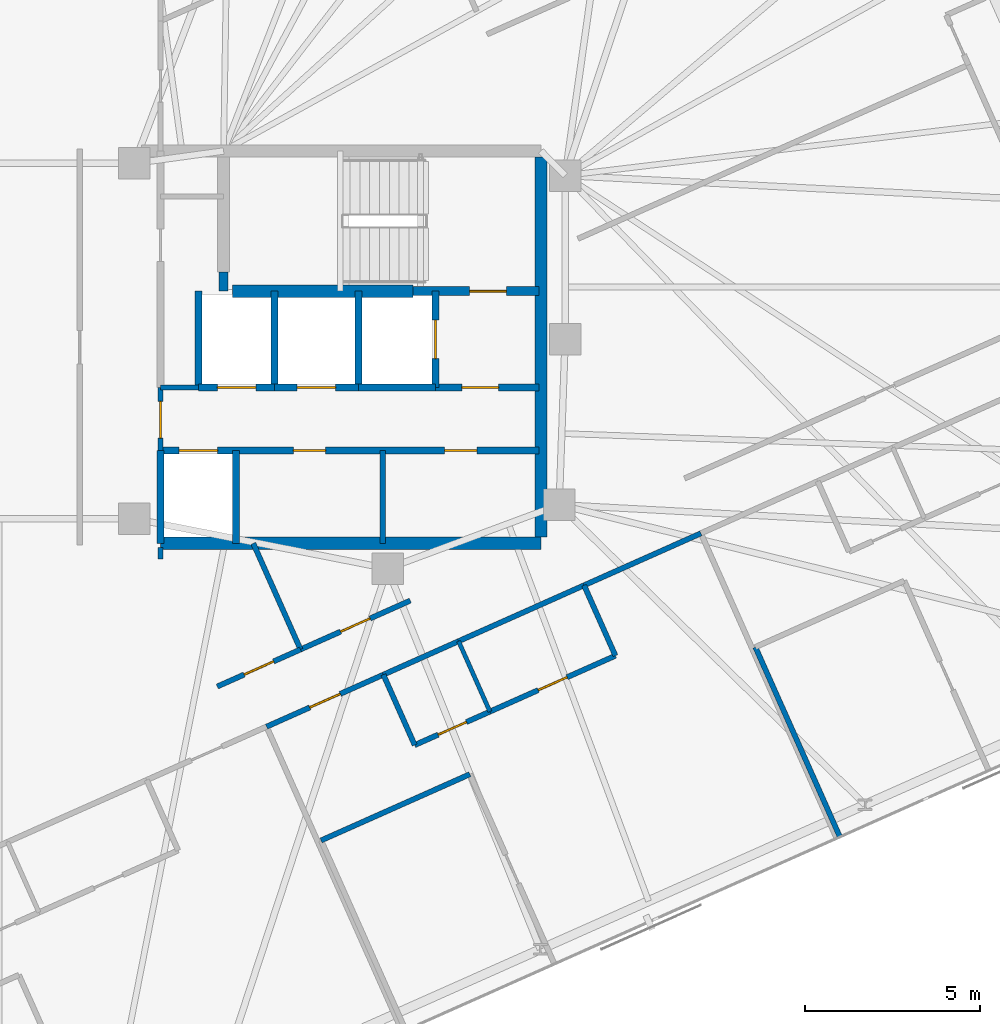
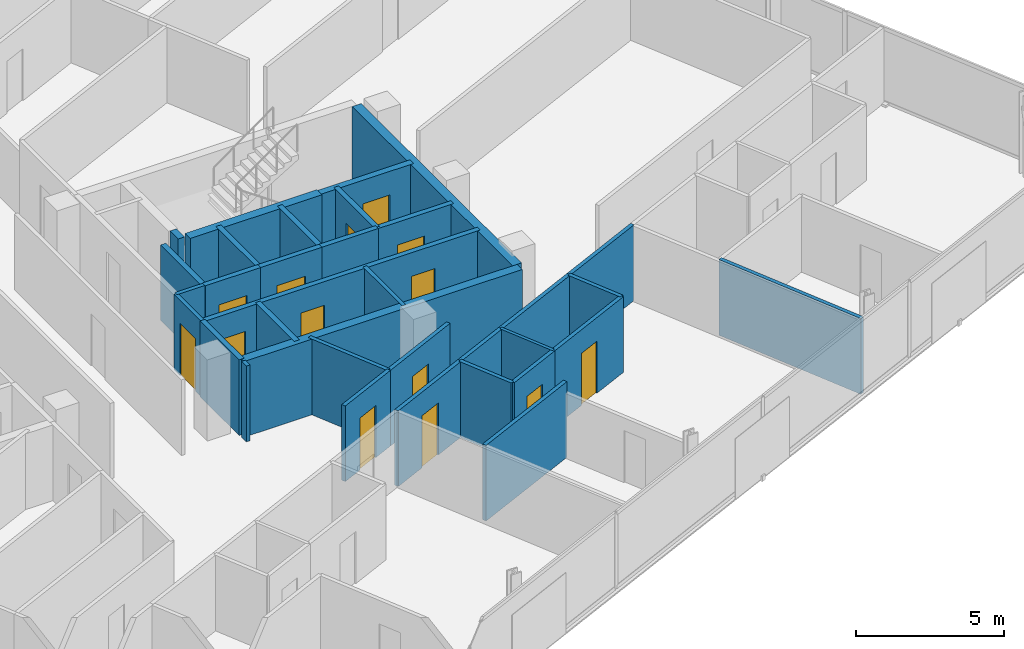
# One storey, part 15 of 19: 34 walls, 14 doors, 14 openings.
"""IFC4 building model written with IfcOpenShell, lengths in metres."""

from ifc_helpers import new_model, si_unit, direction, frame, frame_2d, origin, place, context, subcontext, project, spatial, rectangle, extrude, material, layer, layer_set, type_object, element, fill, save


model = new_model("IFC4")

# Units and contexts
model_context = context("Model", 3, precision=1e-05, world=origin(), true_north=direction((0.0, 1.0)))
body_context = subcontext(model_context, "Body", "Model", "MODEL_VIEW")
ifc_project = project(units=[si_unit("LENGTHUNIT", "METRE"), si_unit("AREAUNIT", "SQUARE_METRE"), si_unit("VOLUMEUNIT", "CUBIC_METRE"), si_unit("PLANEANGLEUNIT", "RADIAN"), si_unit("MASSUNIT", "GRAM", prefix="KILO")], contexts=[model_context])

# Site, building, storey
site_placement = place(None, origin())
site = spatial("IfcSite", under=ifc_project, at=site_placement, CompositionType="ELEMENT")
building_placement = place(site_placement, origin())
building = spatial("IfcBuilding", under=site, at=building_placement, Name="Menara Jurai Vektor", CompositionType="ELEMENT")
storey_placement = place(building_placement, frame((0.0, 0.0, 295.300048828125)))
storey = spatial("IfcBuildingStorey", under=building, at=storey_placement, Name="L79", CompositionType="ELEMENT", Elevation=295.300048828125)

# Wall, opening, door
ifc_material_1 = material(Name="Concrete C40/50", Category="concrete")
ifc_layer_1 = layer(ifc_material_1, 0.25)
ifc_layer_set_1 = layer_set([ifc_layer_1], Name="Concrete C40/50")
wall_type_1 = type_object("IfcWallType", Name="INT-WALL-CORE-250", PredefinedType="STANDARD", material=ifc_layer_set_1)
wall_1_placement = place(storey_placement, frame((10.89990234375, 1.60009765625, 0.0), z_axis=(0.0, 0.0, 1.0), x_axis=(1.0, 0.0, 0.0)))
wall_1 = element("IfcWall", 1, at=wall_1_placement, inside=storey, type_object=wall_type_1, Name="Interior Wall IW-250 L79", PredefinedType="STANDARD", context=body_context, shape_type="SweptSolid", body=[
    extrude(rectangle(XDim=3.60009765625, YDim=0.25, at=frame_2d((1.800048828125, 0.0))), origin(), (0.0, 0.0, 1.0), 3.125),
])
opening_1_placement = place(wall_1_placement, frame((1.6201171875, 0.0, 0.0)))
opening_1 = element("IfcOpeningElement", 2, at=opening_1_placement, cuts=wall_1, Name="Opening D-L79-ST2", PredefinedType="OPENING", context=body_context, shape_type="SweptSolid", body=[
    extrude(rectangle(XDim=1.050048828125, YDim=2.14990234375, at=frame_2d((0.52490234375, 1.074951171875))), frame((0.0, 0.135009765625, 0.0), z_axis=(0.0, -1.0, 0.0), x_axis=(1.0, 0.0, 0.0)), (0.0, 0.0, 1.0), 0.27001953125),
])
ifc_material_2 = material(Name="Fire-Rated Steel Door", Category="steel")
door_type_1 = type_object("IfcDoorType", Name="DR-STAIR-1050", OperationType="NOTDEFINED", PredefinedType="DOOR", material=ifc_material_2)
door_1_placement = place(opening_1_placement, origin())
door_1 = element("IfcDoor", 3, at=door_1_placement, inside=storey, type_object=door_type_1, Name="Exit Stair ST2 Door L79", OperationType="SINGLE_SWING_LEFT", OverallHeight=2.14990234375, OverallWidth=1.050048828125, PredefinedType="DOOR", context=body_context, shape_type="SweptSolid", body=[
    extrude(rectangle(XDim=1.050048828125, YDim=2.14990234375, at=frame_2d((0.52490234375, 1.074951171875))), frame((0.0, 0.02490234375, 0.0), z_axis=(0.0, -1.0, 0.0), x_axis=(1.0, 0.0, 0.0)), (0.0, 0.0, 1.0), 0.050048828125),
])
fill(opening_1, door_1)

# Wall
wall_2_placement = place(storey_placement, frame((5.5, 1.60009765625, 0.0), z_axis=(0.0, 0.0, 1.0), x_axis=(0.0, 1.0, 0.0)))
element("IfcWall", 4, at=wall_2_placement, inside=storey, type_object=wall_type_1, Name="Interior Wall IW-250 L79", PredefinedType="STANDARD", context=body_context, shape_type="SweptSolid", body=[
    extrude(rectangle(XDim=0.5498046875, YDim=0.25, at=frame_2d((0.27490234375, 0.0))), origin(), (0.0, 0.0, 1.0), 3.125),
])

# Wall, opening, door
wall_3_placement = place(storey_placement, frame((11.550048828125, -1.14990234375, 0.0), z_axis=(0.0, 0.0, 1.0), x_axis=(0.0, 1.0, 0.0)))
wall_3 = element("IfcWall", 5, at=wall_3_placement, inside=storey, type_object=wall_type_1, Name="Interior Wall IW-250 L79", PredefinedType="STANDARD", context=body_context, shape_type="SweptSolid", body=[
    extrude(rectangle(XDim=2.75, YDim=0.199951171875, at=frame_2d((1.375, 0.0))), origin(), (0.0, 0.0, 1.0), 3.125),
])
opening_2_placement = place(wall_3_placement, frame((0.824951171875, 0.0, 0.0)))
opening_2 = element("IfcOpeningElement", 6, at=opening_2_placement, cuts=wall_3, Name="Opening LD-L79-FL2", PredefinedType="OPENING", context=body_context, shape_type="SweptSolid", body=[
    extrude(rectangle(XDim=1.10009765625, YDim=2.14990234375, at=frame_2d((0.550048828125, 1.074951171875))), frame((0.0, 0.10986328125, 0.0), z_axis=(0.0, -1.0, 0.0), x_axis=(1.0, 0.0, 0.0)), (0.0, 0.0, 1.0), 0.219970703125),
])
ifc_material_3 = material(Name="Stainless Steel Sliding Lift Landing Door", Category="steel")
door_type_2 = type_object("IfcDoorType", Name="DR-LIFT-FIRE-1100", OperationType="NOTDEFINED", PredefinedType="DOOR", material=ifc_material_3)
door_2_placement = place(opening_2_placement, origin())
door_2 = element("IfcDoor", 7, at=door_2_placement, inside=storey, type_object=door_type_2, Name="Lift Landing Door FL2 L79", OperationType="SLIDING_TO_RIGHT", OverallHeight=2.14990234375, OverallWidth=1.10009765625, PredefinedType="DOOR", context=body_context, shape_type="SweptSolid", body=[
    extrude(rectangle(XDim=1.10009765625, YDim=2.14990234375, at=frame_2d((0.550048828125, 1.074951171875))), frame((0.0, 0.02490234375, 0.0), z_axis=(0.0, -1.0, 0.0), x_axis=(1.0, 0.0, 0.0)), (0.0, 0.0, 1.0), 0.050048828125),
])
fill(opening_2, door_2)

# Wall
wall_4_placement = place(storey_placement, frame((9.35009765625, -1.14990234375, 0.0), z_axis=(0.0, 0.0, 1.0), x_axis=(0.0, 1.0, 0.0)))
element("IfcWall", 8, at=wall_4_placement, inside=storey, type_object=wall_type_1, Name="Interior Wall IW-250 L79", PredefinedType="STANDARD", context=body_context, shape_type="SweptSolid", body=[
    extrude(rectangle(XDim=2.75, YDim=0.199951171875, at=frame_2d((1.375, 0.0))), origin(), (0.0, 0.0, 1.0), 3.125),
])

# Wall, opening, door
wall_5_placement = place(storey_placement, frame((11.550048828125, -1.14990234375, 0.0), z_axis=(0.0, 0.0, 1.0), x_axis=(1.0, 0.0, 0.0)))
wall_5 = element("IfcWall", 9, at=wall_5_placement, inside=storey, type_object=wall_type_1, Name="Interior Wall IW-250 L79", PredefinedType="STANDARD", context=body_context, shape_type="SweptSolid", body=[
    extrude(rectangle(XDim=2.949951171875, YDim=0.199951171875, at=frame_2d((1.47509765625, 0.0))), origin(), (0.0, 0.0, 1.0), 3.125),
])
opening_3_placement = place(wall_5_placement, frame((0.75, 0.0, 0.0)))
opening_3 = element("IfcOpeningElement", 10, at=opening_3_placement, cuts=wall_5, Name="Opening D-L79-FFE", PredefinedType="OPENING", context=body_context, shape_type="SweptSolid", body=[
    extrude(rectangle(XDim=1.050048828125, YDim=2.179931640625, at=frame_2d((0.52490234375, 1.08984375))), frame((0.0, 0.10986328125, 0.0), z_axis=(0.0, -1.0, 0.0), x_axis=(1.0, 0.0, 0.0)), (0.0, 0.0, 1.0), 0.219970703125),
])
ifc_material_4 = material(Name="Fire-Rated Timber Door", Category="wood")
door_type_3 = type_object("IfcDoorType", Name="DR-LOBBY-1050", OperationType="NOTDEFINED", PredefinedType="DOOR", material=ifc_material_4)
door_3_placement = place(opening_3_placement, origin())
door_3 = element("IfcDoor", 11, at=door_3_placement, inside=storey, type_object=door_type_3, Name="Fire Lift Lobby Door E L79", OperationType="SINGLE_SWING_LEFT", OverallHeight=2.179931640625, OverallWidth=1.050048828125, PredefinedType="DOOR", context=body_context, shape_type="SweptSolid", body=[
    extrude(rectangle(XDim=1.050048828125, YDim=2.179931640625, at=frame_2d((0.52490234375, 1.08984375))), frame((0.0, 0.02490234375, 0.0), z_axis=(0.0, -1.0, 0.0), x_axis=(1.0, 0.0, 0.0)), (0.0, 0.0, 1.0), 0.050048828125),
])
fill(opening_3, door_3)

# Wall
wall_6_placement = place(storey_placement, frame((9.35009765625, -1.14990234375, 0.0), z_axis=(0.0, 0.0, 1.0), x_axis=(1.0, 0.0, 0.0)))
element("IfcWall", 12, at=wall_6_placement, inside=storey, type_object=wall_type_1, Name="Interior Wall IW-250 L79", PredefinedType="STANDARD", context=body_context, shape_type="SweptSolid", body=[
    extrude(rectangle(XDim=2.199951171875, YDim=0.199951171875, at=frame_2d((1.10009765625, 0.0))), origin(), (0.0, 0.0, 1.0), 3.125),
])

# Wall, opening, door
ifc_material_5 = material(Name="Gypsum Fireboard Partition", Category="gypsum")
ifc_layer_2 = layer(ifc_material_5, 0.14990234375)
ifc_layer_set_2 = layer_set([ifc_layer_2], Name="Gypsum Fireboard Partition")
wall_type_2 = type_object("IfcWallType", Name="INT-WALL-CORR-150", PredefinedType="PARTITIONING", material=ifc_layer_set_2)
wall_7_placement = place(storey_placement, frame((3.699951171875, -2.949951171875, 0.0), z_axis=(0.0, 0.0, 1.0), x_axis=(0.0, 1.0, 0.0)))
wall_7 = element("IfcWall", 13, at=wall_7_placement, inside=storey, type_object=wall_type_2, Name="Interior Wall IW-150 L79", PredefinedType="PARTITIONING", context=body_context, shape_type="SweptSolid", body=[
    extrude(rectangle(XDim=1.800048828125, YDim=0.14990234375, at=frame_2d((0.89990234375, 0.0))), origin(), (0.0, 0.0, 1.0), 3.125),
])
opening_4_placement = place(wall_7_placement, frame((0.35009765625, 0.0, 0.0)))
opening_4 = element("IfcOpeningElement", 14, at=opening_4_placement, cuts=wall_7, Name="Opening D-L79-LLE", PredefinedType="OPENING", context=body_context, shape_type="SweptSolid", body=[
    extrude(rectangle(XDim=1.050048828125, YDim=2.179931640625, at=frame_2d((0.52490234375, 1.08984375))), frame((0.0, 0.0849609375, 0.0), z_axis=(0.0, -1.0, 0.0), x_axis=(1.0, 0.0, 0.0)), (0.0, 0.0, 1.0), 0.169921875),
])
door_4_placement = place(opening_4_placement, frame((1.050048828125, 0.0, 0.0), z_axis=(0.0, 0.0, 1.0), x_axis=(-1.0, 0.0, 0.0)))
door_4 = element("IfcDoor", 15, at=door_4_placement, inside=storey, type_object=door_type_3, Name="Lift Lobby Corridor Door E L79", OperationType="SINGLE_SWING_RIGHT", OverallHeight=2.179931640625, OverallWidth=1.050048828125, PredefinedType="DOOR", context=body_context, shape_type="SweptSolid", body=[
    extrude(rectangle(XDim=1.050048828125, YDim=2.179931640625, at=frame_2d((0.52490234375, 1.08984375))), frame((0.0, 0.02490234375, 0.0), z_axis=(0.0, -1.0, 0.0), x_axis=(1.0, 0.0, 0.0)), (0.0, 0.0, 1.0), 0.050048828125),
])
fill(opening_4, door_4)

# Walls
wall_8_placement = place(storey_placement, frame((3.699951171875, -1.14990234375, 0.0), z_axis=(0.0, 0.0, 1.0), x_axis=(1.0, 0.0, 0.0)))
element("IfcWall", 16, at=wall_8_placement, inside=storey, type_object=wall_type_2, Name="Interior Wall IW-150 L79", PredefinedType="PARTITIONING", context=body_context, shape_type="SweptSolid", body=[
    extrude(rectangle(XDim=1.090087890625, YDim=0.14990234375, at=frame_2d((0.544921875, 0.0))), origin(), (0.0, 0.0, 1.0), 3.125),
])
wall_9_placement = place(storey_placement, frame((10.0400390625, -5.60009765625, 0.0), z_axis=(0.0, 0.0, 1.0), x_axis=(0.0, 1.0, 0.0)))
element("IfcWall", 17, at=wall_9_placement, inside=storey, type_object=wall_type_2, Name="Interior Wall IW-150 L79", PredefinedType="PARTITIONING", context=body_context, shape_type="SweptSolid", body=[
    extrude(rectangle(XDim=2.650146484375, YDim=0.14990234375, at=frame_2d((1.3251953125, 0.0))), origin(), (0.0, 0.0, 1.0), 3.125),
])

# Wall, opening, door
wall_10_placement = place(storey_placement, frame((6.7265625, -10.83447265625, 0.0), z_axis=(0.0, 0.0, 1.0), x_axis=(0.913543802, 0.40674036169, 0.0)))
wall_10 = element("IfcWall", 18, at=wall_10_placement, inside=storey, type_object=wall_type_2, Name="Interior Wall IW-150 L79", PredefinedType="PARTITIONING", context=body_context, shape_type="SweptSolid", body=[
    extrude(rectangle(XDim=3.650146484375, YDim=0.14990234375, at=frame_2d((1.8251953125, 0.0))), origin(), (0.0, 0.0, 1.0), 3.125),
])
opening_5_placement = place(wall_10_placement, frame((1.35009765625, 0.0, 0.0)))
opening_5 = element("IfcOpeningElement", 19, at=opening_5_placement, cuts=wall_10, Name="Opening D79-23", PredefinedType="OPENING", context=body_context, shape_type="SweptSolid", body=[
    extrude(rectangle(XDim=0.949951171875, YDim=2.14990234375, at=frame_2d((0.47509765625, 1.074951171875))), frame((0.0, 0.0849609375, 0.0), z_axis=(0.0, -1.0, 0.0), x_axis=(1.0, 0.0, 0.0)), (0.0, 0.0, 1.0), 0.169921875),
])
ifc_material_6 = material(Name="Solid Core Timber Fire Door", Category="wood")
door_type_4 = type_object("IfcDoorType", Name="DR-ENTRY-950", OperationType="NOTDEFINED", PredefinedType="DOOR", material=ifc_material_6)
door_5_placement = place(opening_5_placement, origin())
door_5 = element("IfcDoor", 20, at=door_5_placement, inside=storey, type_object=door_type_4, Name="Interior Door D79-23", OperationType="SINGLE_SWING_RIGHT", OverallHeight=2.14990234375, OverallWidth=0.949951171875, PredefinedType="DOOR", context=body_context, shape_type="SweptSolid", body=[
    extrude(rectangle(XDim=0.949951171875, YDim=2.14990234375, at=frame_2d((0.47509765625, 1.074951171875))), frame((0.0, 0.02490234375, 0.0), z_axis=(0.0, -1.0, 0.0), x_axis=(1.0, 0.0, 0.0)), (0.0, 0.0, 1.0), 0.050048828125),
])
fill(opening_5, door_5)

# Walls
wall_11_placement = place(storey_placement, frame((15.790771484375, -6.798828125, 0.0), z_axis=(0.0, 0.0, 1.0), x_axis=(0.913543802, 0.40674036169, 0.0)))
element("IfcWall", 21, at=wall_11_placement, inside=storey, type_object=wall_type_2, Name="Interior Wall IW-150 L79", PredefinedType="PARTITIONING", context=body_context, shape_type="SweptSolid", body=[
    extrude(rectangle(XDim=3.650146484375, YDim=0.14990234375, at=frame_2d((1.8251953125, 0.0))), origin(), (0.0, 0.0, 1.0), 3.125),
])
wall_12_placement = place(storey_placement, frame((10.06103515625, -9.349853515625, 0.0), z_axis=(0.0, 0.0, 1.0), x_axis=(0.913558622212, 0.406707073682, 0.0)))
element("IfcWall", 22, at=wall_12_placement, inside=storey, type_object=wall_type_2, Name="Interior Wall IW-150 L79", PredefinedType="PARTITIONING", context=body_context, shape_type="SweptSolid", body=[
    extrude(rectangle(XDim=2.35009765625, YDim=0.14990234375, at=frame_2d((1.175048828125, 0.0))), origin(), (0.0, 0.0, 1.0), 3.125),
])
wall_13_placement = place(storey_placement, frame((12.2080078125, -8.39404296875, 0.0), z_axis=(0.0, 0.0, 1.0), x_axis=(0.913539234326, 0.406750620585, 0.0)))
element("IfcWall", 23, at=wall_13_placement, inside=storey, type_object=wall_type_2, Name="Interior Wall IW-150 L79", PredefinedType="PARTITIONING", context=body_context, shape_type="SweptSolid", body=[
    extrude(rectangle(XDim=3.921875, YDim=0.14990234375, at=frame_2d((1.9609375, 0.0))), origin(), (0.0, 0.0, 1.0), 3.125),
])

# Wall, opening, door
wall_14_placement = place(storey_placement, frame((5.319580078125, -9.6875, 0.0), z_axis=(0.0, 0.0, 1.0), x_axis=(0.913559784164, 0.406704463658, 0.0)))
wall_14 = element("IfcWall", 24, at=wall_14_placement, inside=storey, type_object=wall_type_2, Name="Interior Wall IW-150 L79", PredefinedType="PARTITIONING", context=body_context, shape_type="SweptSolid", body=[
    extrude(rectangle(XDim=2.60107421875, YDim=0.14990234375, at=frame_2d((1.300537109375, 0.0))), origin(), (0.0, 0.0, 1.0), 3.125),
])
opening_6_placement = place(wall_14_placement, frame((0.840576171875, 0.0, 0.0)))
opening_6 = element("IfcOpeningElement", 25, at=opening_6_placement, cuts=wall_14, Name="Opening D79-35", PredefinedType="OPENING", context=body_context, shape_type="SweptSolid", body=[
    extrude(rectangle(XDim=0.919921875, YDim=2.14990234375, at=frame_2d((0.4599609375, 1.074951171875))), frame((0.0, 0.0849609375, 0.0), z_axis=(0.0, -1.0, 0.0), x_axis=(1.0, 0.0, 0.0)), (0.0, 0.0, 1.0), 0.169921875),
])
door_6_placement = place(opening_6_placement, origin())
door_6 = element("IfcDoor", 26, at=door_6_placement, inside=storey, type_object=door_type_4, Name="Interior Door D79-35", OperationType="SINGLE_SWING_RIGHT", OverallHeight=2.14990234375, OverallWidth=0.919921875, PredefinedType="DOOR", context=body_context, shape_type="SweptSolid", body=[
    extrude(rectangle(XDim=0.919921875, YDim=2.14990234375, at=frame_2d((0.4599609375, 1.074951171875))), frame((0.0, 0.02490234375, 0.0), z_axis=(0.0, -1.0, 0.0), x_axis=(1.0, 0.0, 0.0)), (0.0, 0.0, 1.0), 0.050048828125),
])
fill(opening_6, door_6)

# Wall
wall_15_placement = place(storey_placement, frame((3.699462890625, -6.048828125, 0.0), z_axis=(0.0, 0.0, 1.0), x_axis=(0.001476013152, 0.999998910692, 0.0)))
element("IfcWall", 27, at=wall_15_placement, inside=storey, type_object=wall_type_2, Name="Interior Wall IW-150 L79", PredefinedType="PARTITIONING", context=body_context, shape_type="SweptSolid", body=[
    extrude(rectangle(XDim=0.330810546875, YDim=0.14990234375, at=frame_2d((0.16552734375, 0.0))), origin(), (0.0, 0.0, 1.0), 3.125),
])

# Wall, opening, door
wall_16_placement = place(storey_placement, frame((7.69580078125, -8.629638671875, 0.0), z_axis=(0.0, 0.0, 1.0), x_axis=(0.913526514415, 0.406779187596, 0.0)))
wall_16 = element("IfcWall", 28, at=wall_16_placement, inside=storey, type_object=wall_type_2, Name="Interior Wall IW-150 L79", PredefinedType="PARTITIONING", context=body_context, shape_type="SweptSolid", body=[
    extrude(rectangle(XDim=3.4287109375, YDim=0.14990234375, at=frame_2d((1.71435546875, 0.0))), origin(), (0.0, 0.0, 1.0), 3.125),
])
opening_7_placement = place(wall_16_placement, frame((1.25439453125, 0.0, 0.0)))
opening_7 = element("IfcOpeningElement", 29, at=opening_7_placement, cuts=wall_16, Name="Opening D79-36", PredefinedType="OPENING", context=body_context, shape_type="SweptSolid", body=[
    extrude(rectangle(XDim=0.919921875, YDim=2.14990234375, at=frame_2d((0.4599609375, 1.074951171875))), frame((0.0, 0.0849609375, 0.0), z_axis=(0.0, -1.0, 0.0), x_axis=(1.0, 0.0, 0.0)), (0.0, 0.0, 1.0), 0.169921875),
])
door_7_placement = place(opening_7_placement, origin())
door_7 = element("IfcDoor", 30, at=door_7_placement, inside=storey, type_object=door_type_4, Name="Interior Door D79-36", OperationType="SINGLE_SWING_LEFT", OverallHeight=2.14990234375, OverallWidth=0.919921875, PredefinedType="DOOR", context=body_context, shape_type="SweptSolid", body=[
    extrude(rectangle(XDim=0.919921875, YDim=2.14990234375, at=frame_2d((0.4599609375, 1.074951171875))), frame((0.0, 0.02490234375, 0.0), z_axis=(0.0, -1.0, 0.0), x_axis=(1.0, 0.0, 0.0)), (0.0, 0.0, 1.0), 0.050048828125),
])
fill(opening_7, door_7)

# Wall
wall_17_placement = place(storey_placement, frame((10.955810546875, -11.359619140625, 0.0), z_axis=(0.0, 0.0, 1.0), x_axis=(-0.406725294076, 0.913550510459, 0.0)))
element("IfcWall", 31, at=wall_17_placement, inside=storey, type_object=wall_type_2, Name="Interior Wall IW-150 L79", PredefinedType="PARTITIONING", context=body_context, shape_type="SweptSolid", body=[
    extrude(rectangle(XDim=2.199951171875, YDim=0.14990234375, at=frame_2d((1.10009765625, 0.0))), origin(), (0.0, 0.0, 1.0), 3.125),
])

# Wall, opening, door
wall_18_placement = place(storey_placement, frame((10.955810546875, -11.359619140625, 0.0), z_axis=(0.0, 0.0, 1.0), x_axis=(0.913558622212, 0.406707073682, 0.0)))
wall_18 = element("IfcWall", 32, at=wall_18_placement, inside=storey, type_object=wall_type_2, Name="Interior Wall IW-150 L79", PredefinedType="PARTITIONING", context=body_context, shape_type="SweptSolid", body=[
    extrude(rectangle(XDim=2.35009765625, YDim=0.14990234375, at=frame_2d((1.175048828125, 0.0))), origin(), (0.0, 0.0, 1.0), 3.125),
])
opening_8_placement = place(wall_18_placement, frame((0.735107421875, 0.0, 0.0)))
opening_8 = element("IfcOpeningElement", 33, at=opening_8_placement, cuts=wall_18, Name="Opening D79-24", PredefinedType="OPENING", context=body_context, shape_type="SweptSolid", body=[
    extrude(rectangle(XDim=0.8798828125, YDim=2.14990234375, at=frame_2d((0.43994140625, 1.074951171875))), frame((0.0, 0.0849609375, 0.0), z_axis=(0.0, -1.0, 0.0), x_axis=(1.0, 0.0, 0.0)), (0.0, 0.0, 1.0), 0.169921875),
])
ifc_material_7 = material(Name="Moisture-Resistant Timber Door", Category="wood")
door_type_5 = type_object("IfcDoorType", Name="DR-BATH-880", OperationType="NOTDEFINED", PredefinedType="DOOR", material=ifc_material_7)
door_8_placement = place(opening_8_placement, origin())
door_8 = element("IfcDoor", 34, at=door_8_placement, inside=storey, type_object=door_type_5, Name="Interior Door D79-24", OperationType="SINGLE_SWING_LEFT", OverallHeight=2.14990234375, OverallWidth=0.8798828125, PredefinedType="DOOR", context=body_context, shape_type="SweptSolid", body=[
    extrude(rectangle(XDim=0.8798828125, YDim=2.14990234375, at=frame_2d((0.43994140625, 1.074951171875))), frame((0.0, 0.02490234375, 0.0), z_axis=(0.0, -1.0, 0.0), x_axis=(1.0, 0.0, 0.0)), (0.0, 0.0, 1.0), 0.050048828125),
])
fill(opening_8, door_8)

wall_19_placement = place(storey_placement, frame((13.102783203125, -10.40380859375, 0.0), z_axis=(0.0, 0.0, 1.0), x_axis=(0.913549532696, 0.406727490232, 0.0)))
wall_19 = element("IfcWall", 35, at=wall_19_placement, inside=storey, type_object=wall_type_2, Name="Interior Wall IW-150 L79", PredefinedType="PARTITIONING", context=body_context, shape_type="SweptSolid", body=[
    extrude(rectangle(XDim=3.922119140625, YDim=0.14990234375, at=frame_2d((1.9609375, 0.0))), origin(), (0.0, 0.0, 1.0), 3.125),
])
opening_9_placement = place(wall_19_placement, frame((1.510986328125, 0.0, 0.0)))
opening_9 = element("IfcOpeningElement", 36, at=opening_9_placement, cuts=wall_19, Name="Opening D79-25", PredefinedType="OPENING", context=body_context, shape_type="SweptSolid", body=[
    extrude(rectangle(XDim=0.89990234375, YDim=2.14990234375, at=frame_2d((0.449951171875, 1.074951171875))), frame((0.0, 0.0849609375, 0.0), z_axis=(0.0, -1.0, 0.0), x_axis=(1.0, 0.0, 0.0)), (0.0, 0.0, 1.0), 0.169921875),
])
ifc_material_8 = material(Name="Acoustic Timber Interior Door", Category="wood")
door_type_6 = type_object("IfcDoorType", Name="DR-ROOM-900", OperationType="NOTDEFINED", PredefinedType="DOOR", material=ifc_material_8)
door_9_placement = place(opening_9_placement, origin())
door_9 = element("IfcDoor", 37, at=door_9_placement, inside=storey, type_object=door_type_6, Name="Interior Door D79-25", OperationType="SINGLE_SWING_RIGHT", OverallHeight=2.14990234375, OverallWidth=0.89990234375, PredefinedType="DOOR", context=body_context, shape_type="SweptSolid", body=[
    extrude(rectangle(XDim=0.89990234375, YDim=2.14990234375, at=frame_2d((0.449951171875, 1.074951171875))), frame((0.0, 0.02490234375, 0.0), z_axis=(0.0, -1.0, 0.0), x_axis=(1.0, 0.0, 0.0)), (0.0, 0.0, 1.0), 0.050048828125),
])
fill(opening_9, door_9)

# Walls
wall_20_placement = place(storey_placement, frame((16.685791015625, -8.80859375, 0.0), z_axis=(0.0, 0.0, 1.0), x_axis=(-0.406817905151, 0.913509273105, 0.0)))
element("IfcWall", 38, at=wall_20_placement, inside=storey, type_object=wall_type_2, Name="Interior Wall IW-150 L79", PredefinedType="PARTITIONING", context=body_context, shape_type="SweptSolid", body=[
    extrude(rectangle(XDim=2.199951171875, YDim=0.14990234375, at=frame_2d((1.10009765625, 0.0))), origin(), (0.0, 0.0, 1.0), 3.125),
])
wall_21_placement = place(storey_placement, frame((8.2822265625, -14.08251953125, 0.0), z_axis=(0.0, 0.0, 1.0), x_axis=(0.91354505039, 0.40673755778, 0.0)))
element("IfcWall", 39, at=wall_21_placement, inside=storey, type_object=wall_type_2, Name="Interior Wall IW-150 L79", PredefinedType="PARTITIONING", context=body_context, shape_type="SweptSolid", body=[
    extrude(rectangle(XDim=4.650146484375, YDim=0.14990234375, at=frame_2d((2.3251953125, 0.0))), origin(), (0.0, 0.0, 1.0), 3.125),
])
wall_22_placement = place(storey_placement, frame((23.094970703125, -13.984130859375, 0.0), z_axis=(0.0, 0.0, 1.0), x_axis=(-0.406749048544, 0.913539934271, 0.0)))
element("IfcWall", 40, at=wall_22_placement, inside=storey, type_object=wall_type_2, Name="Interior Wall IW-150 L79", PredefinedType="PARTITIONING", context=body_context, shape_type="SweptSolid", body=[
    extrude(rectangle(XDim=5.93505859375, YDim=0.14990234375, at=frame_2d((2.967529296875, 0.0))), origin(), (0.0, 0.0, 1.0), 3.125),
])
wall_23_placement = place(storey_placement, frame((7.69580078125, -8.629638671875, 0.0), z_axis=(0.0, 0.0, 1.0), x_axis=(-0.406773661192, 0.913528975217, 0.0)))
element("IfcWall", 41, at=wall_23_placement, inside=storey, type_object=wall_type_2, Name="Interior Wall IW-150 L79", PredefinedType="PARTITIONING", context=body_context, shape_type="SweptSolid", body=[
    extrude(rectangle(XDim=3.31591796875, YDim=0.14990234375, at=frame_2d((1.657958984375, 0.0))), origin(), (0.0, 0.0, 1.0), 3.125),
])
ifc_material_9 = material(Name="Gypsum Acoustic Stud Partition", Category="gypsum")
ifc_layer_3 = layer(ifc_material_9, 0.1201171875)
ifc_layer_set_3 = layer_set([ifc_layer_3], Name="Gypsum Acoustic Stud Partition")
wall_type_3 = type_object("IfcWallType", Name="INT-WALL-PART-120", PredefinedType="PARTITIONING", material=ifc_layer_set_3)
wall_24_placement = place(storey_placement, frame((13.102783203125, -10.40380859375, 0.0), z_axis=(0.0, 0.0, 1.0), x_axis=(-0.406725294076, 0.913550510459, 0.0)))
element("IfcWall", 42, at=wall_24_placement, inside=storey, type_object=wall_type_3, Name="Interior Wall IW-120 L79", PredefinedType="PARTITIONING", context=body_context, shape_type="SweptSolid", body=[
    extrude(rectangle(XDim=2.199951171875, YDim=0.1201171875, at=frame_2d((1.10009765625, 0.0))), origin(), (0.0, 0.0, 1.0), 3.125),
])
ifc_layer_4 = layer(ifc_material_1, 0.199951171875)
ifc_layer_set_4 = layer_set([ifc_layer_4], Name="Concrete C40/50")
wall_type_4 = type_object("IfcWallType", Name="INT-WALL-SHAFT-200", PredefinedType="STANDARD", material=ifc_layer_set_4)
wall_25_placement = place(storey_placement, frame((3.699951171875, -5.60009765625, 0.0), z_axis=(0.0, 0.0, 1.0), x_axis=(0.0, 1.0, 0.0)))
element("IfcWall", 43, at=wall_25_placement, inside=storey, type_object=wall_type_4, Name="Interior Wall IW-200 L79", PredefinedType="STANDARD", context=body_context, shape_type="SweptSolid", body=[
    extrude(rectangle(XDim=2.650146484375, YDim=0.199951171875, at=frame_2d((1.3251953125, 0.0))), origin(), (0.0, 0.0, 1.0), 3.125),
])
wall_26_placement = place(storey_placement, frame((6.949951171875, -1.14990234375, 0.0), z_axis=(0.0, 0.0, 1.0), x_axis=(0.0, 1.0, 0.0)))
element("IfcWall", 44, at=wall_26_placement, inside=storey, type_object=wall_type_4, Name="Interior Wall IW-200 L79", PredefinedType="STANDARD", context=body_context, shape_type="SweptSolid", body=[
    extrude(rectangle(XDim=2.75, YDim=0.199951171875, at=frame_2d((1.375, 0.0))), origin(), (0.0, 0.0, 1.0), 3.125),
])

# Wall, opening, door
wall_27_placement = place(storey_placement, frame((6.949951171875, -1.14990234375, 0.0), z_axis=(0.0, 0.0, 1.0), x_axis=(1.0, 0.0, 0.0)))
wall_27 = element("IfcWall", 45, at=wall_27_placement, inside=storey, type_object=wall_type_4, Name="Interior Wall IW-200 L79", PredefinedType="STANDARD", context=body_context, shape_type="SweptSolid", body=[
    extrude(rectangle(XDim=2.400146484375, YDim=0.199951171875, at=frame_2d((1.2001953125, 0.0))), origin(), (0.0, 0.0, 1.0), 3.125),
])
opening_10_placement = place(wall_27_placement, frame((0.64990234375, 0.0, 0.0)))
opening_10 = element("IfcOpeningElement", 46, at=opening_10_placement, cuts=wall_27, Name="Opening LD-L79-SVL2", PredefinedType="OPENING", context=body_context, shape_type="SweptSolid", body=[
    extrude(rectangle(XDim=1.10009765625, YDim=2.14990234375, at=frame_2d((0.550048828125, 1.074951171875))), frame((0.0, 0.10986328125, 0.0), z_axis=(0.0, -1.0, 0.0), x_axis=(1.0, 0.0, 0.0)), (0.0, 0.0, 1.0), 0.219970703125),
])
ifc_material_10 = material(Name="Anodised Stainless Sliding Lift Landing Door", Category="steel")
door_type_7 = type_object("IfcDoorType", Name="DR-LIFT-PASS-1100", OperationType="NOTDEFINED", PredefinedType="DOOR", material=ifc_material_10)
door_10_placement = place(opening_10_placement, origin())
door_10 = element("IfcDoor", 47, at=door_10_placement, inside=storey, type_object=door_type_7, Name="Lift Landing Door SVL2 L79", OperationType="SLIDING_TO_RIGHT", OverallHeight=2.14990234375, OverallWidth=1.10009765625, PredefinedType="DOOR", context=body_context, shape_type="SweptSolid", body=[
    extrude(rectangle(XDim=1.10009765625, YDim=2.14990234375, at=frame_2d((0.550048828125, 1.074951171875))), frame((0.0, 0.02490234375, 0.0), z_axis=(0.0, -1.0, 0.0), x_axis=(1.0, 0.0, 0.0)), (0.0, 0.0, 1.0), 0.050048828125),
])
fill(opening_10, door_10)

# Wall
wall_28_placement = place(storey_placement, frame((4.7900390625, -1.14990234375, 0.0), z_axis=(0.0, 0.0, 1.0), x_axis=(0.0, 1.0, 0.0)))
element("IfcWall", 48, at=wall_28_placement, inside=storey, type_object=wall_type_4, Name="Interior Wall IW-200 L79", PredefinedType="STANDARD", context=body_context, shape_type="SweptSolid", body=[
    extrude(rectangle(XDim=2.75, YDim=0.199951171875, at=frame_2d((1.375, 0.0))), origin(), (0.0, 0.0, 1.0), 3.125),
])

# Wall, opening, door
wall_29_placement = place(storey_placement, frame((4.7900390625, -1.14990234375, 0.0), z_axis=(0.0, 0.0, 1.0), x_axis=(1.0, 0.0, 0.0)))
wall_29 = element("IfcWall", 49, at=wall_29_placement, inside=storey, type_object=wall_type_4, Name="Interior Wall IW-200 L79", PredefinedType="STANDARD", context=body_context, shape_type="SweptSolid", body=[
    extrude(rectangle(XDim=2.159912109375, YDim=0.199951171875, at=frame_2d((1.080078125, 0.0))), origin(), (0.0, 0.0, 1.0), 3.125),
])
opening_11_placement = place(wall_29_placement, frame((0.530029296875, 0.0, 0.0)))
opening_11 = element("IfcOpeningElement", 50, at=opening_11_placement, cuts=wall_29, Name="Opening LD-L79-PH4", PredefinedType="OPENING", context=body_context, shape_type="SweptSolid", body=[
    extrude(rectangle(XDim=1.10009765625, YDim=2.14990234375, at=frame_2d((0.550048828125, 1.074951171875))), frame((0.0, 0.10986328125, 0.0), z_axis=(0.0, -1.0, 0.0), x_axis=(1.0, 0.0, 0.0)), (0.0, 0.0, 1.0), 0.219970703125),
])
door_11_placement = place(opening_11_placement, origin())
door_11 = element("IfcDoor", 51, at=door_11_placement, inside=storey, type_object=door_type_7, Name="Lift Landing Door PH4 L79", OperationType="SLIDING_TO_LEFT", OverallHeight=2.14990234375, OverallWidth=1.10009765625, PredefinedType="DOOR", context=body_context, shape_type="SweptSolid", body=[
    extrude(rectangle(XDim=1.10009765625, YDim=2.14990234375, at=frame_2d((0.550048828125, 1.074951171875))), frame((0.0, 0.02490234375, 0.0), z_axis=(0.0, -1.0, 0.0), x_axis=(1.0, 0.0, 0.0)), (0.0, 0.0, 1.0), 0.050048828125),
])
fill(opening_11, door_11)

# Wall, openings, doors
wall_30_placement = place(storey_placement, frame((3.699951171875, -2.949951171875, 0.0), z_axis=(0.0, 0.0, 1.0), x_axis=(1.0, 0.0, 0.0)))
wall_30 = element("IfcWall", 52, at=wall_30_placement, inside=storey, type_object=wall_type_4, Name="Interior Wall IW-200 L79", PredefinedType="STANDARD", context=body_context, shape_type="SweptSolid", body=[
    extrude(rectangle(XDim=10.800048828125, YDim=0.199951171875, at=frame_2d((5.39990234375, 0.0))), origin(), (0.0, 0.0, 1.0), 3.125),
])
opening_12_placement = place(wall_30_placement, frame((0.530029296875, 0.0, 0.0)))
opening_12 = element("IfcOpeningElement", 53, at=opening_12_placement, cuts=wall_30, Name="Opening LD-L79-PH3", PredefinedType="OPENING", context=body_context, shape_type="SweptSolid", body=[
    extrude(rectangle(XDim=1.10009765625, YDim=2.14990234375, at=frame_2d((0.550048828125, 1.074951171875))), frame((0.0, 0.10986328125, 0.0), z_axis=(0.0, -1.0, 0.0), x_axis=(1.0, 0.0, 0.0)), (0.0, 0.0, 1.0), 0.219970703125),
])
opening_13_placement = place(wall_30_placement, frame((3.7900390625, 0.0, 0.0)))
opening_13 = element("IfcOpeningElement", 54, at=opening_13_placement, cuts=wall_30, Name="Opening D79-05", PredefinedType="OPENING", context=body_context, shape_type="SweptSolid", body=[
    extrude(rectangle(XDim=0.919921875, YDim=2.14990234375, at=frame_2d((0.4599609375, 1.074951171875))), frame((0.0, 0.10986328125, 0.0), z_axis=(0.0, -1.0, 0.0), x_axis=(1.0, 0.0, 0.0)), (0.0, 0.0, 1.0), 0.219970703125),
])
opening_14_placement = place(wall_30_placement, frame((8.110107421875, 0.0, 0.0)))
opening_14 = element("IfcOpeningElement", 55, at=opening_14_placement, cuts=wall_30, Name="Opening D79-06", PredefinedType="OPENING", context=body_context, shape_type="SweptSolid", body=[
    extrude(rectangle(XDim=0.919921875, YDim=2.14990234375, at=frame_2d((0.4599609375, 1.074951171875))), frame((0.0, 0.10986328125, 0.0), z_axis=(0.0, -1.0, 0.0), x_axis=(1.0, 0.0, 0.0)), (0.0, 0.0, 1.0), 0.219970703125),
])
door_12_placement = place(opening_13_placement, origin())
door_12 = element("IfcDoor", 56, at=door_12_placement, inside=storey, type_object=door_type_4, Name="Interior Door D79-05", OperationType="SINGLE_SWING_LEFT", OverallHeight=2.14990234375, OverallWidth=0.919921875, PredefinedType="DOOR", context=body_context, shape_type="SweptSolid", body=[
    extrude(rectangle(XDim=0.919921875, YDim=2.14990234375, at=frame_2d((0.4599609375, 1.074951171875))), frame((0.0, 0.02490234375, 0.0), z_axis=(0.0, -1.0, 0.0), x_axis=(1.0, 0.0, 0.0)), (0.0, 0.0, 1.0), 0.050048828125),
])
fill(opening_13, door_12)
door_13_placement = place(opening_14_placement, origin())
door_13 = element("IfcDoor", 57, at=door_13_placement, inside=storey, type_object=door_type_4, Name="Interior Door D79-06", OperationType="SINGLE_SWING_RIGHT", OverallHeight=2.14990234375, OverallWidth=0.919921875, PredefinedType="DOOR", context=body_context, shape_type="SweptSolid", body=[
    extrude(rectangle(XDim=0.919921875, YDim=2.14990234375, at=frame_2d((0.4599609375, 1.074951171875))), frame((0.0, 0.02490234375, 0.0), z_axis=(0.0, -1.0, 0.0), x_axis=(1.0, 0.0, 0.0)), (0.0, 0.0, 1.0), 0.050048828125),
])
fill(opening_14, door_13)
door_14_placement = place(opening_12_placement, origin())
door_14 = element("IfcDoor", 58, at=door_14_placement, inside=storey, type_object=door_type_7, Name="Lift Landing Door PH3 L79", OperationType="SLIDING_TO_RIGHT", OverallHeight=2.14990234375, OverallWidth=1.10009765625, PredefinedType="DOOR", context=body_context, shape_type="SweptSolid", body=[
    extrude(rectangle(XDim=1.10009765625, YDim=2.14990234375, at=frame_2d((0.550048828125, 1.074951171875))), frame((0.0, 0.02490234375, 0.0), z_axis=(0.0, -1.0, 0.0), x_axis=(1.0, 0.0, 0.0)), (0.0, 0.0, 1.0), 0.050048828125),
])
fill(opening_12, door_14)

# Walls
wall_31_placement = place(storey_placement, frame((5.860107421875, -5.60009765625, 0.0), z_axis=(0.0, 0.0, 1.0), x_axis=(0.0, 1.0, 0.0)))
element("IfcWall", 59, at=wall_31_placement, inside=storey, type_object=wall_type_4, Name="Interior Wall IW-200 L79", PredefinedType="STANDARD", context=body_context, shape_type="SweptSolid", body=[
    extrude(rectangle(XDim=2.650146484375, YDim=0.199951171875, at=frame_2d((1.3251953125, 0.0))), origin(), (0.0, 0.0, 1.0), 3.125),
])
ifc_material_11 = material(Name="Concrete C50/60", Category="concrete")
ifc_layer_5 = layer(ifc_material_11, 0.35009765625)
ifc_layer_set_5 = layer_set([ifc_layer_5], Name="Concrete C50/60")
wall_type_5 = type_object("IfcWallType", Name="STR-WALL-CORE350", PredefinedType="SHEAR", material=ifc_layer_set_5)
wall_32_placement = place(storey_placement, frame((3.699951171875, -5.60009765625, 0.0), z_axis=(0.0, 0.0, 1.0), x_axis=(1.0, 0.0, 0.0)))
element("IfcWall", 60, at=wall_32_placement, inside=storey, type_object=wall_type_5, Name="Core Shear Wall CW-E-S L79", PredefinedType="SHEAR", context=body_context, shape_type="SweptSolid", body=[
    extrude(rectangle(XDim=10.860107421875, YDim=0.35009765625, at=frame_2d((5.43017578125, 0.0))), origin(), (0.0, 0.0, 1.0), 3.125),
])
wall_33_placement = place(storey_placement, frame((14.56005859375, -5.425048828125, 0.0), z_axis=(0.0, 0.0, 1.0), x_axis=(0.0, 1.0, 0.0)))
element("IfcWall", 61, at=wall_33_placement, inside=storey, type_object=wall_type_5, Name="Core Shear Wall CW-E-E L79", PredefinedType="SHEAR", context=body_context, shape_type="SweptSolid", body=[
    extrude(rectangle(XDim=10.85009765625, YDim=0.35009765625, at=frame_2d((5.425048828125, 0.0))), origin(), (0.0, 0.0, 1.0), 3.125),
])
wall_34_placement = place(storey_placement, frame((5.75, 1.60009765625, 0.0), z_axis=(0.0, 0.0, 1.0), x_axis=(1.0, 0.0, 0.0)))
element("IfcWall", 62, at=wall_34_placement, inside=storey, type_object=wall_type_5, Name="Core Shear Wall CW-E-STS L79", PredefinedType="SHEAR", context=body_context, shape_type="SweptSolid", body=[
    extrude(rectangle(XDim=5.14990234375, YDim=0.35009765625, at=frame_2d((2.574951171875, 0.0))), origin(), (0.0, 0.0, 1.0), 3.125),
])

save(model, "model.ifc")
